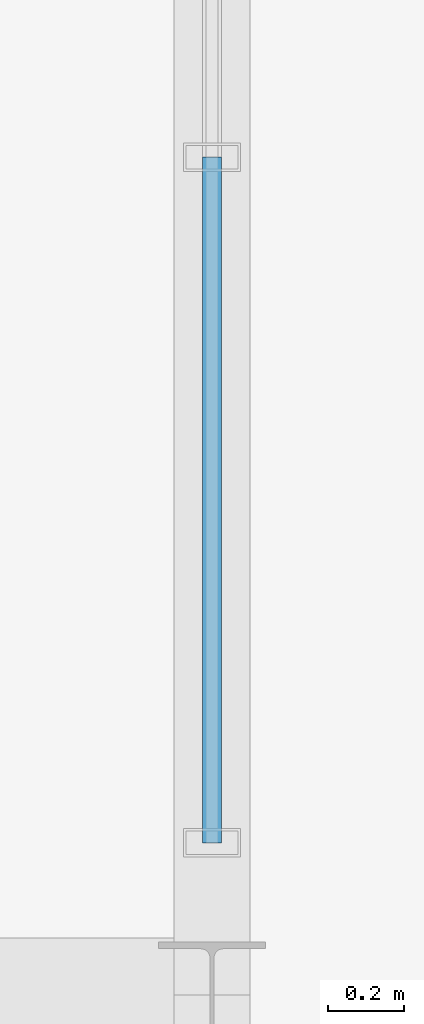
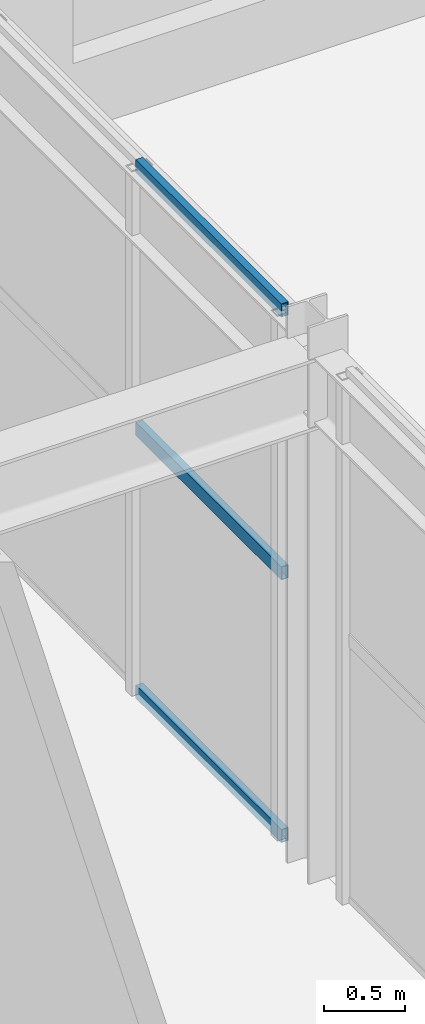
# One storey, part 56 of 122: 3 members, 1 element without a shape of its own.
"""IFC4 building model written with IfcOpenShell, lengths in metres."""

from ifc_helpers import new_model, si_unit, direction, frame, origin, origin_2d, place, context, subcontext, project, spatial, hollow_rectangle, extrude, material, material_profile, profile_set, type_object, element, aggregate, save


model = new_model("IFC4")

# Units and contexts
model_context = context("Model", 3, precision=1e-05, world=origin(), true_north=direction((0.0, 1.0)))
body_context = subcontext(model_context, "Body", "Model", "MODEL_VIEW")
ifc_project = project(units=[si_unit("LENGTHUNIT", "METRE"), si_unit("AREAUNIT", "SQUARE_METRE"), si_unit("VOLUMEUNIT", "CUBIC_METRE"), si_unit("PLANEANGLEUNIT", "RADIAN"), si_unit("MASSUNIT", "GRAM", prefix="KILO")], contexts=[model_context])

# Site, building, storey
site_placement = place(None, origin())
site = spatial("IfcSite", under=ifc_project, at=site_placement, CompositionType="ELEMENT")
building_placement = place(site_placement, origin())
building = spatial("IfcBuilding", under=site, at=building_placement, Name="Sundkrona Museum", CompositionType="ELEMENT")
storey_placement = place(building_placement, frame((0.0, 0.0, 5.39990234375)))
storey = spatial("IfcBuildingStorey", under=building, at=storey_placement, Name="L01", CompositionType="ELEMENT", Elevation=5.39990234375)

# Curtain wall, members
ifc_material_1 = material(Name="Unitised Aluminium-Steel and Ceramic-Clad Curtain Walling", Category="steel")
curtain_wall_type = type_object("IfcCurtainWallType", Name="CW-PS-54x38", PredefinedType="NOTDEFINED", material=ifc_material_1)
curtain_wall_placement = place(storey_placement, origin())
curtain_wall = element("IfcCurtainWall", 1, at=curtain_wall_placement, inside=storey, type_object=curtain_wall_type, Name="L01 Curtain Wall CW-L01-122", PredefinedType="NOTDEFINED")
ifc_material_2 = material(Name="Aluminium EN AW-6060 T66", Category="aluminium")
ifc_material_profile = material_profile(ifc_material_2, hollow_rectangle(XDim=0.050048828125, YDim=0.10009765625, WallThickness=0.0048828125, at=origin_2d()), Name="RHS 100x50x5.0")
ifc_profile_set = profile_set([ifc_material_profile], Name="Aluminium EN AW-6060 T66")
member_type = type_object("IfcMemberType", Name="TR-100", PredefinedType="USERDEFINED", material=ifc_profile_set)
member_1_placement = place(storey_placement, frame((80.0, 94.39990234375, -0.00390625), z_axis=(0.0, 1.0, 0.0), x_axis=(-1.0, 0.0, 0.0)))
member_1 = element("IfcMember", 2, at=member_1_placement, type_object=member_type, Name="CW-L01-122 Transom 01", ObjectType="TRANSOM", PredefinedType="USERDEFINED", context=body_context, shape_type="SweptSolid", body=[
    extrude(hollow_rectangle(XDim=0.050048828125, YDim=0.10009765625, WallThickness=0.0048828125, at=origin_2d()), origin(), (0.0, 0.0, 1.0), 1.800048828125),
])
member_2_placement = place(storey_placement, frame((80.0, 94.39990234375, 1.97998046875), z_axis=(0.0, 1.0, 0.0), x_axis=(-1.0, 0.0, 0.0)))
member_2 = element("IfcMember", 3, at=member_2_placement, type_object=member_type, Name="CW-L01-122 Transom 02", ObjectType="TRANSOM", PredefinedType="USERDEFINED", context=body_context, shape_type="SweptSolid", body=[
    extrude(hollow_rectangle(XDim=0.050048828125, YDim=0.10009765625, WallThickness=0.0048828125, at=origin_2d()), origin(), (0.0, 0.0, 1.0), 1.800048828125),
])
member_3_placement = place(storey_placement, frame((80.0, 94.39990234375, 3.964111328125), z_axis=(0.0, 1.0, 0.0), x_axis=(-1.0, 0.0, 0.0)))
member_3 = element("IfcMember", 4, at=member_3_placement, type_object=member_type, Name="CW-L01-122 Transom 03", ObjectType="TRANSOM", PredefinedType="USERDEFINED", context=body_context, shape_type="SweptSolid", body=[
    extrude(hollow_rectangle(XDim=0.050048828125, YDim=0.10009765625, WallThickness=0.0048828125, at=origin_2d()), origin(), (0.0, 0.0, 1.0), 1.800048828125),
])
aggregate(curtain_wall, [member_1, member_2, member_3])

save(model, "model.ifc")
